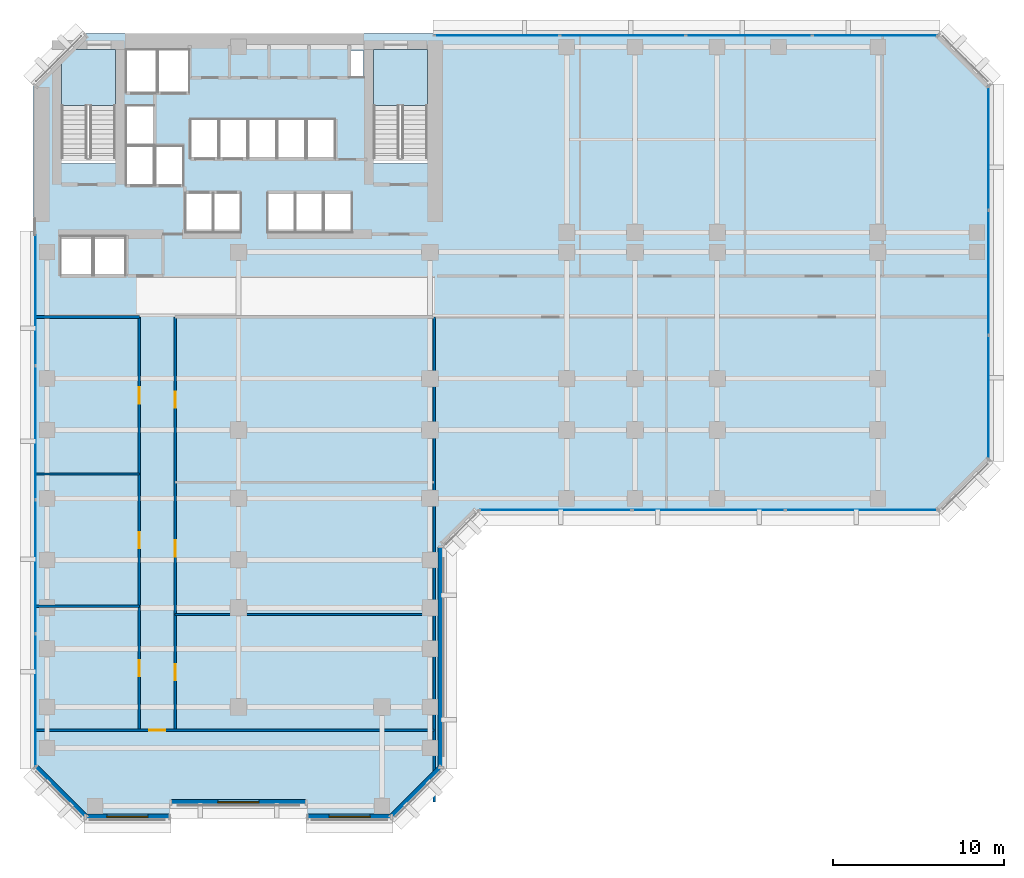
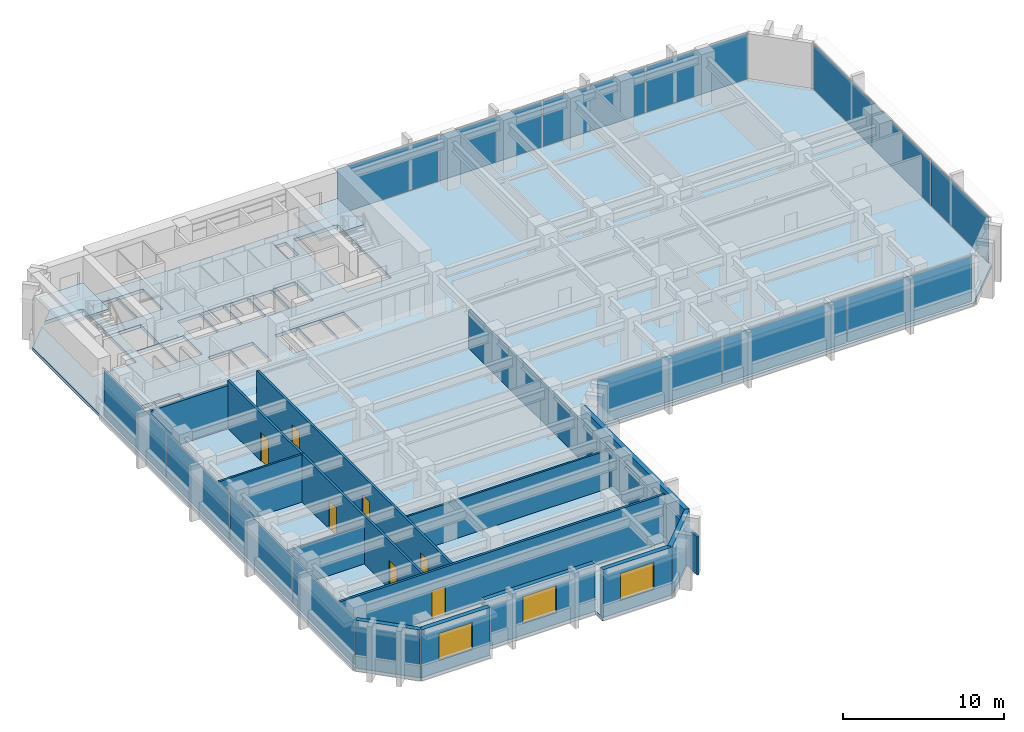
# One storey, part 6 of 13: 14 plates, 14 walls, 7 doors, 3 slabs, 3 windows, 10 openings, 6 elements without a shape of their own.
"""IFC4 building model written with IfcOpenShell, lengths in metres."""

from ifc_helpers import new_model, si_unit, direction, frame, frame_2d, origin, origin_2d, place, context, subcontext, project, spatial, polyline, rectangle, outline, extrude, material, layer, layer_set, type_object, element, fill, aggregate, save


model = new_model("IFC4")

# Units and contexts
model_context = context("Model", 3, precision=1e-05, world=origin(), true_north=direction((0.0, 1.0)))
body_context = subcontext(model_context, "Body", "Model", "MODEL_VIEW")
ifc_project = project(units=[si_unit("LENGTHUNIT", "METRE"), si_unit("AREAUNIT", "SQUARE_METRE"), si_unit("VOLUMEUNIT", "CUBIC_METRE"), si_unit("PLANEANGLEUNIT", "RADIAN"), si_unit("MASSUNIT", "GRAM", prefix="KILO")], contexts=[model_context])

# Site, building, storey
site_placement = place(None, origin())
site = spatial("IfcSite", under=ifc_project, at=site_placement, CompositionType="ELEMENT")
building_placement = place(site_placement, origin())
building = spatial("IfcBuilding", under=site, at=building_placement, Name="Kefirva Bronze Tower", CompositionType="ELEMENT")
storey_placement = place(building_placement, frame((0.0, 0.0, 89.760009765625)))
storey = spatial("IfcBuildingStorey", under=building, at=storey_placement, Name="L21", CompositionType="ELEMENT", Elevation=89.760009765625)

# Stair, slab
ifc_material_1 = material(Name="Concrete C40/50", Category="concrete")
stair_type = type_object("IfcStairType", Name="RC Dogleg Protected Stair 24R", PredefinedType="HALF_TURN_STAIR", material=ifc_material_1)
stair_1_placement = place(storey_placement, origin())
stair_1 = element("IfcStair", 1, at=stair_1_placement, inside=storey, type_object=stair_type, Name="L21 Protected Exit Stair 1", PredefinedType="HALF_TURN_STAIR")
ifc_layer_1 = layer(ifc_material_1, 0.199951171875, Name="Concrete C40/50")
ifc_layer_set_1 = layer_set([ifc_layer_1], Name="Concrete C40/50")
slab_type_1 = type_object("IfcSlabType", Name="RC Stair Landing Slab 200mm", PredefinedType="LANDING", material=ifc_layer_set_1)
slab_1_placement = place(storey_placement, frame((0.0, 0.0, 1.780029296875)))
slab_1 = element("IfcSlab", 2, at=slab_1_placement, type_object=slab_type_1, Name="ST-1 landing 1", PredefinedType="LANDING", context=body_context, shape_type="SweptSolid", body=[
    extrude(outline(polyline([(4.800048828125, 41.780029296875), (4.800048828125, 45.050048828125), (1.64990234375, 45.050048828125), (1.64990234375, 41.780029296875), (4.800048828125, 41.780029296875)])), origin(), (0.0, 0.0, 1.0), 0.199951171875),
])
aggregate(stair_1, [slab_1])

stair_2_placement = place(storey_placement, origin())
stair_2 = element("IfcStair", 3, at=stair_2_placement, inside=storey, type_object=stair_type, Name="L21 Protected Exit Stair 2", PredefinedType="HALF_TURN_STAIR")
slab_2_placement = place(storey_placement, frame((0.0, 0.0, 1.780029296875)))
slab_2 = element("IfcSlab", 4, at=slab_2_placement, type_object=slab_type_1, Name="ST-2 landing 1", PredefinedType="LANDING", context=body_context, shape_type="SweptSolid", body=[
    extrude(outline(polyline([(23.050048828125, 41.780029296875), (23.050048828125, 45.050048828125), (19.89990234375, 45.050048828125), (19.89990234375, 41.780029296875), (23.050048828125, 41.780029296875)])), origin(), (0.0, 0.0, 1.0), 0.199951171875),
])
aggregate(stair_2, [slab_2])

# Slab
ifc_layer_2 = layer(ifc_material_1, 0.25, Name="Concrete C40/50")
ifc_layer_set_2 = layer_set([ifc_layer_2], Name="Concrete C40/50")
slab_type_2 = type_object("IfcSlabType", Name="RC Tower Floor Slab 250mm", PredefinedType="FLOOR", material=ifc_layer_set_2)
slab_3_placement = place(storey_placement, frame((0.0, 0.0, -0.25)))
element("IfcSlab", 5, at=slab_3_placement, inside=storey, type_object=slab_type_2, Name="L21 Structural Floor Slab", PredefinedType="FLOOR", context=body_context, shape_type="SweptSolid", body=[
    extrude(outline(polyline([(0.0, 3.0), (0.0, 43.0), (1.64990234375, 44.64990234375), (1.64990234375, 38.39990234375), (4.800048828125, 38.39990234375), (4.800048828125, 45.050048828125), (2.050048828125, 45.050048828125), (3.0, 46.0), (53.0, 46.0), (56.0, 43.0), (56.0, 21.0), (53.0, 18.0), (26.0, 18.0), (24.0, 16.0), (24.0, 3.0), (21.0, 0.0), (16.0, 0.0), (16.0, 0.85009765625), (8.0, 0.85009765625), (8.0, 0.0), (3.0, 0.0), (0.0, 3.0)]), holes=[polyline([(19.89990234375, 38.39990234375), (23.050048828125, 38.39990234375), (23.050048828125, 45.050048828125), (19.89990234375, 45.050048828125), (19.89990234375, 38.39990234375)]), polyline([(18.52001953125, 43.419921875), (19.320068359375, 43.419921875), (19.320068359375, 45.0), (18.52001953125, 45.0), (18.52001953125, 43.419921875)]), polyline([(17.0, 34.35009765625), (18.64990234375, 34.35009765625), (18.64990234375, 36.64990234375), (17.0, 36.64990234375), (17.0, 34.35009765625)]), polyline([(17.64990234375, 38.679931640625), (17.64990234375, 40.97998046875), (16.0, 40.97998046875), (16.0, 38.679931640625), (17.64990234375, 38.679931640625)]), polyline([(16.949951171875, 34.35009765625), (16.949951171875, 36.64990234375), (15.35009765625, 36.64990234375), (15.35009765625, 34.35009765625), (16.949951171875, 34.35009765625)]), polyline([(15.929931640625, 38.679931640625), (15.929931640625, 40.97998046875), (14.300048828125, 40.97998046875), (14.300048828125, 38.679931640625), (15.929931640625, 38.679931640625)]), polyline([(15.300048828125, 34.35009765625), (15.300048828125, 36.64990234375), (13.699951171875, 36.64990234375), (13.699951171875, 34.35009765625), (15.300048828125, 34.35009765625)]), polyline([(14.22998046875, 38.679931640625), (14.22998046875, 40.97998046875), (12.60009765625, 40.97998046875), (12.60009765625, 38.679931640625), (14.22998046875, 38.679931640625)]), polyline([(10.89990234375, 38.679931640625), (12.530029296875, 38.679931640625), (12.530029296875, 40.97998046875), (10.89990234375, 40.97998046875), (10.89990234375, 38.679931640625)]), polyline([(12.139892578125, 34.35009765625), (12.139892578125, 36.64990234375), (10.5400390625, 36.64990234375), (10.5400390625, 34.35009765625), (12.139892578125, 34.35009765625)]), polyline([(10.830078125, 38.679931640625), (10.830078125, 40.97998046875), (9.199951171875, 40.97998046875), (9.199951171875, 38.679931640625), (10.830078125, 38.679931640625)]), polyline([(10.5, 34.35009765625), (10.5, 36.64990234375), (8.89990234375, 36.64990234375), (8.89990234375, 34.35009765625), (10.5, 34.35009765625)]), polyline([(7.300048828125, 42.550048828125), (9.1201171875, 42.550048828125), (9.1201171875, 45.050048828125), (7.300048828125, 45.050048828125), (7.300048828125, 42.550048828125)]), polyline([(7.139892578125, 37.10009765625), (8.780029296875, 37.10009765625), (8.780029296875, 39.39990234375), (7.139892578125, 39.39990234375), (7.139892578125, 37.10009765625)]), polyline([(5.419921875, 42.550048828125), (7.239990234375, 42.550048828125), (7.239990234375, 45.050048828125), (5.419921875, 45.050048828125), (5.419921875, 42.550048828125)]), polyline([(7.06005859375, 39.47998046875), (7.06005859375, 41.780029296875), (5.419921875, 41.780029296875), (5.419921875, 39.47998046875), (7.06005859375, 39.47998046875)]), polyline([(5.419921875, 37.10009765625), (7.06005859375, 37.10009765625), (7.06005859375, 39.39990234375), (5.419921875, 39.39990234375), (5.419921875, 37.10009765625)]), polyline([(5.39990234375, 31.85009765625), (5.39990234375, 34.14990234375), (3.550048828125, 34.14990234375), (3.550048828125, 31.85009765625), (5.39990234375, 31.85009765625)]), polyline([(3.449951171875, 31.85009765625), (3.449951171875, 34.14990234375), (1.60009765625, 34.14990234375), (1.60009765625, 31.85009765625), (3.449951171875, 31.85009765625)])]), origin(), (0.0, 0.0, 1.0), 0.25),
])

# Curtain wall, plates
ifc_material_2 = material(Name="Bronze anodised aluminium", Category="aluminium")
ifc_layer_3 = layer(ifc_material_2, 0.199951171875, Name="Bronze anodised aluminium")
ifc_layer_set_3 = layer_set([ifc_layer_3], Name="Bronze anodised aluminium")
curtain_wall_type = type_object("IfcCurtainWallType", Name="Unitised Bronze Ribbon Curtain Wall Zone 1", PredefinedType="USERDEFINED", material=ifc_layer_set_3)
curtain_wall_1_placement = place(storey_placement, origin())
curtain_wall_1 = element("IfcCurtainWall", 6, at=curtain_wall_1_placement, inside=storey, type_object=curtain_wall_type, Name="L21 Curtain Wall 1", ObjectType="UNITISED CURTAIN WALL", PredefinedType="USERDEFINED")
ifc_material_3 = material(Name="Laminated low-E double glazing", Category="glass")
ifc_layer_4 = layer(ifc_material_3, 0.031982421875, Name="Laminated low-E double glazing")
ifc_layer_set_4 = layer_set([ifc_layer_4], Name="Laminated low-E double glazing")
plate_type = type_object("IfcPlateType", Name="Solar-Control Low-E Vision Panel 32mm", PredefinedType="CURTAIN_PANEL", material=ifc_layer_set_4)
plate_1_placement = place(storey_placement, frame((30.555419921875, 18.1201171875, 0.074951171875), z_axis=(0.0, 0.0, 1.0), x_axis=(1.0, 0.0, 0.0)))
plate_1 = element("IfcPlate", 7, at=plate_1_placement, type_object=plate_type, Name="CW-01 panel 1.1", PredefinedType="CURTAIN_PANEL", context=body_context, shape_type="SweptSolid", body=[
    extrude(rectangle(XDim=8.850830078125, YDim=0.031982421875, at=origin_2d()), origin(), (0.0, 0.0, 1.0), 3.4599609375),
])
plate_2_placement = place(storey_placement, frame((39.5, 18.1201171875, 0.074951171875), z_axis=(0.0, 0.0, 1.0), x_axis=(1.0, 0.0, 0.0)))
plate_2 = element("IfcPlate", 8, at=plate_2_placement, type_object=plate_type, Name="CW-01 panel 2.1", PredefinedType="CURTAIN_PANEL", context=body_context, shape_type="SweptSolid", body=[
    extrude(rectangle(XDim=8.888427734375, YDim=0.031982421875, at=origin_2d()), origin(), (0.0, 0.0, 1.0), 3.4599609375),
])
plate_3_placement = place(storey_placement, frame((48.444580078125, 18.1201171875, 0.074951171875), z_axis=(0.0, 0.0, 1.0), x_axis=(1.0, 0.0, 0.0)))
plate_3 = element("IfcPlate", 9, at=plate_3_placement, type_object=plate_type, Name="CW-01 panel 3.1", PredefinedType="CURTAIN_PANEL", context=body_context, shape_type="SweptSolid", body=[
    extrude(rectangle(XDim=8.850830078125, YDim=0.031982421875, at=origin_2d()), origin(), (0.0, 0.0, 1.0), 3.4599609375),
])
aggregate(curtain_wall_1, [plate_1, plate_2, plate_3])

curtain_wall_2_placement = place(storey_placement, origin())
curtain_wall_2 = element("IfcCurtainWall", 10, at=curtain_wall_2_placement, inside=storey, type_object=curtain_wall_type, Name="L21 Curtain Wall 2", ObjectType="UNITISED CURTAIN WALL", PredefinedType="USERDEFINED")
plate_4_placement = place(storey_placement, frame((55.8798828125, 24.72216796875, 0.074951171875), z_axis=(0.0, 0.0, 1.0), x_axis=(0.0, 1.0, 0.0)))
plate_4 = element("IfcPlate", 11, at=plate_4_placement, type_object=plate_type, Name="CW-01 panel 1.1", PredefinedType="CURTAIN_PANEL", context=body_context, shape_type="SweptSolid", body=[
    extrude(rectangle(XDim=7.18408203125, YDim=0.031982421875, at=origin_2d()), origin(), (0.0, 0.0, 1.0), 3.4599609375),
])
plate_5_placement = place(storey_placement, frame((55.8798828125, 32.0, 0.074951171875), z_axis=(0.0, 0.0, 1.0), x_axis=(0.0, 1.0, 0.0)))
plate_5 = element("IfcPlate", 12, at=plate_5_placement, type_object=plate_type, Name="CW-01 panel 2.1", PredefinedType="CURTAIN_PANEL", context=body_context, shape_type="SweptSolid", body=[
    extrude(rectangle(XDim=7.2216796875, YDim=0.031982421875, at=origin_2d()), origin(), (0.0, 0.0, 1.0), 3.4599609375),
])
plate_6_placement = place(storey_placement, frame((55.8798828125, 39.27783203125, 0.074951171875), z_axis=(0.0, 0.0, 1.0), x_axis=(0.0, 1.0, 0.0)))
plate_6 = element("IfcPlate", 13, at=plate_6_placement, type_object=plate_type, Name="CW-01 panel 3.1", PredefinedType="CURTAIN_PANEL", context=body_context, shape_type="SweptSolid", body=[
    extrude(rectangle(XDim=7.18408203125, YDim=0.031982421875, at=origin_2d()), origin(), (0.0, 0.0, 1.0), 3.4599609375),
])
aggregate(curtain_wall_2, [plate_4, plate_5, plate_6])

curtain_wall_3_placement = place(storey_placement, origin())
curtain_wall_3 = element("IfcCurtainWall", 14, at=curtain_wall_3_placement, inside=storey, type_object=curtain_wall_type, Name="L21 Curtain Wall 3", ObjectType="UNITISED CURTAIN WALL", PredefinedType="USERDEFINED")
plate_7_placement = place(storey_placement, frame((49.233642578125, 45.8798828125, 0.074951171875), z_axis=(0.0, 0.0, 1.0), x_axis=(-1.0, 0.0, 0.0)))
plate_7 = element("IfcPlate", 15, at=plate_7_placement, type_object=plate_type, Name="CW-01 panel 1.1", PredefinedType="CURTAIN_PANEL", context=body_context, shape_type="SweptSolid", body=[
    extrude(rectangle(XDim=7.2724609375, YDim=0.031982421875, at=origin_2d()), origin(), (0.0, 0.0, 1.0), 3.4599609375),
])
plate_8_placement = place(storey_placement, frame((41.867431640625, 45.8798828125, 0.074951171875), z_axis=(0.0, 0.0, 1.0), x_axis=(-1.0, 0.0, 0.0)))
plate_8 = element("IfcPlate", 16, at=plate_8_placement, type_object=plate_type, Name="CW-01 panel 2.1", PredefinedType="CURTAIN_PANEL", context=body_context, shape_type="SweptSolid", body=[
    extrude(rectangle(XDim=7.31005859375, YDim=0.031982421875, at=origin_2d()), origin(), (0.0, 0.0, 1.0), 3.4599609375),
])
plate_9_placement = place(storey_placement, frame((34.482421875, 45.8798828125, 0.074951171875), z_axis=(0.0, 0.0, 1.0), x_axis=(-1.0, 0.0, 0.0)))
plate_9 = element("IfcPlate", 17, at=plate_9_placement, type_object=plate_type, Name="CW-01 panel 3.1", PredefinedType="CURTAIN_PANEL", context=body_context, shape_type="SweptSolid", body=[
    extrude(rectangle(XDim=7.31005859375, YDim=0.031982421875, at=origin_2d()), origin(), (0.0, 0.0, 1.0), 3.4599609375),
])
plate_10_placement = place(storey_placement, frame((27.1162109375, 45.8798828125, 0.074951171875), z_axis=(0.0, 0.0, 1.0), x_axis=(-1.0, 0.0, 0.0)))
plate_10 = element("IfcPlate", 18, at=plate_10_placement, type_object=plate_type, Name="CW-01 panel 4.1", PredefinedType="CURTAIN_PANEL", context=body_context, shape_type="SweptSolid", body=[
    extrude(rectangle(XDim=7.2724609375, YDim=0.031982421875, at=origin_2d()), origin(), (0.0, 0.0, 1.0), 3.4599609375),
])
aggregate(curtain_wall_3, [plate_7, plate_8, plate_9, plate_10])

curtain_wall_4_placement = place(storey_placement, origin())
curtain_wall_4 = element("IfcCurtainWall", 19, at=curtain_wall_4_placement, inside=storey, type_object=curtain_wall_type, Name="L21 Curtain Wall 4", ObjectType="UNITISED CURTAIN WALL", PredefinedType="USERDEFINED")
plate_11_placement = place(storey_placement, frame((0.1201171875, 30.458740234375, 0.074951171875), z_axis=(0.0, 0.0, 1.0), x_axis=(0.0, -1.0, 0.0)))
plate_11 = element("IfcPlate", 20, at=plate_11_placement, type_object=plate_type, Name="CW-01 panel 1.1", PredefinedType="CURTAIN_PANEL", context=body_context, shape_type="SweptSolid", body=[
    extrude(rectangle(XDim=7.722412109375, YDim=0.031982421875, at=origin_2d()), origin(), (0.0, 0.0, 1.0), 3.4599609375),
])
plate_12_placement = place(storey_placement, frame((0.1201171875, 22.642578125, 0.074951171875), z_axis=(0.0, 0.0, 1.0), x_axis=(0.0, -1.0, 0.0)))
plate_12 = element("IfcPlate", 21, at=plate_12_placement, type_object=plate_type, Name="CW-01 panel 2.1", PredefinedType="CURTAIN_PANEL", context=body_context, shape_type="SweptSolid", body=[
    extrude(rectangle(XDim=7.760009765625, YDim=0.031982421875, at=origin_2d()), origin(), (0.0, 0.0, 1.0), 3.4599609375),
])
plate_13_placement = place(storey_placement, frame((0.1201171875, 14.8076171875, 0.074951171875), z_axis=(0.0, 0.0, 1.0), x_axis=(0.0, -1.0, 0.0)))
plate_13 = element("IfcPlate", 22, at=plate_13_placement, type_object=plate_type, Name="CW-01 panel 3.1", PredefinedType="CURTAIN_PANEL", context=body_context, shape_type="SweptSolid", body=[
    extrude(rectangle(XDim=7.760009765625, YDim=0.031982421875, at=origin_2d()), origin(), (0.0, 0.0, 1.0), 3.4599609375),
])
plate_14_placement = place(storey_placement, frame((0.1201171875, 6.9912109375, 0.074951171875), z_axis=(0.0, 0.0, 1.0), x_axis=(0.0, -1.0, 0.0)))
plate_14 = element("IfcPlate", 23, at=plate_14_placement, type_object=plate_type, Name="CW-01 panel 4.1", PredefinedType="CURTAIN_PANEL", context=body_context, shape_type="SweptSolid", body=[
    extrude(rectangle(XDim=7.722412109375, YDim=0.031982421875, at=origin_2d()), origin(), (0.0, 0.0, 1.0), 3.4599609375),
])
aggregate(curtain_wall_4, [plate_11, plate_12, plate_13, plate_14])

# Walls
ifc_material_4 = material(Name="Gypsum acoustic partition")
ifc_layer_5 = layer(ifc_material_4, 0.1298828125, Name="Gypsum acoustic partition")
ifc_layer_set_5 = layer_set([ifc_layer_5], Name="Gypsum acoustic partition")
wall_type_1 = type_object("IfcWallType", Name="Acoustic Office Partition 130mm", PredefinedType="PARTITIONING", material=ifc_layer_set_5)
wall_1_placement = place(storey_placement, frame((0.18994140625, 12.488037109375, 0.0), z_axis=(0.0, 0.0, 1.0), x_axis=(1.0, 0.0, 0.0)))
element("IfcWall", 24, at=wall_1_placement, inside=storey, type_object=wall_type_1, Name="L21 Partition W-L21-SWD1", PredefinedType="PARTITIONING", context=body_context, shape_type="SweptSolid", body=[
    extrude(rectangle(XDim=6.010009765625, YDim=0.1298828125, at=frame_2d((3.0048828125, 0.0))), origin(), (0.0, 0.0, 1.0), 2.89501953125),
])
wall_2_placement = place(storey_placement, frame((0.18994140625, 20.21923828125, 0.0), z_axis=(0.0, 0.0, 1.0), x_axis=(1.0, 0.0, 0.0)))
element("IfcWall", 25, at=wall_2_placement, inside=storey, type_object=wall_type_1, Name="L21 Partition W-L21-SWD2", PredefinedType="PARTITIONING", context=body_context, shape_type="SweptSolid", body=[
    extrude(rectangle(XDim=6.010009765625, YDim=0.1298828125, at=frame_2d((3.0048828125, 0.0))), origin(), (0.0, 0.0, 1.0), 3.610107421875),
])
wall_3_placement = place(storey_placement, frame((8.300048828125, 12.0048828125, 0.0), z_axis=(0.0, 0.0, 1.0), x_axis=(1.0, 0.0, 0.0)))
element("IfcWall", 26, at=wall_3_placement, inside=storey, type_object=wall_type_1, Name="L21 Partition W-L21-SED1", PredefinedType="PARTITIONING", context=body_context, shape_type="SweptSolid", body=[
    extrude(rectangle(XDim=15.14990234375, YDim=0.1298828125, at=frame_2d((7.574951171875, 0.0))), origin(), (0.0, 0.0, 1.0), 2.89501953125),
])

# Wall, opening, window
ifc_material_5 = material(Name="Precast concrete C40/50", Category="concrete")
ifc_layer_6 = layer(ifc_material_5, 0.320068359375, Name="Precast concrete C40/50")
ifc_layer_set_6 = layer_set([ifc_layer_6], Name="Precast concrete C40/50")
wall_type_2 = type_object("IfcWallType", Name="Precast Insulated Exterior Wall 320mm", PredefinedType="SOLIDWALL", material=ifc_layer_set_6)
wall_4_placement = place(storey_placement, frame((3.054931640625, 0.159912109375, 0.0), z_axis=(0.0, 0.0, 1.0), x_axis=(1.0, 0.0, 0.0)))
wall_4 = element("IfcWall", 27, at=wall_4_placement, inside=storey, type_object=wall_type_2, Name="L21 Exterior Facade Wall 1", PredefinedType="SOLIDWALL", context=body_context, shape_type="SweptSolid", body=[
    extrude(rectangle(XDim=4.89013671875, YDim=0.320068359375, at=frame_2d((2.445068359375, 0.0))), origin(), (0.0, 0.0, 1.0), 3.610107421875),
])
opening_1_placement = place(wall_4_placement, frame((1.2451171875, 0.0, 0.85009765625)))
opening_1 = element("IfcOpeningElement", 28, at=opening_1_placement, cuts=wall_4, Name="Opening WN-01", PredefinedType="OPENING", context=body_context, shape_type="SweptSolid", body=[
    extrude(rectangle(XDim=2.39990234375, YDim=2.050048828125, at=frame_2d((1.199951171875, 1.02490234375))), frame((0.0, 0.169921875, 0.0), z_axis=(0.0, -1.0, 0.0), x_axis=(1.0, 0.0, 0.0)), (0.0, 0.0, 1.0), 0.340087890625),
])
window_type = type_object("IfcWindowType", Name="Streamline Ribbon Window 2400x2050", PartitioningType="SINGLE_PANEL", PredefinedType="WINDOW", material=ifc_material_3)
window_1_placement = place(opening_1_placement, origin())
window_1 = element("IfcWindow", 29, at=window_1_placement, inside=storey, type_object=window_type, Name="L21 Ribbon Window 1", OverallHeight=2.050048828125, OverallWidth=2.39990234375, PartitioningType="SINGLE_PANEL", PredefinedType="WINDOW", context=body_context, shape_type="SweptSolid", body=[
    extrude(rectangle(XDim=2.39990234375, YDim=2.050048828125, at=frame_2d((1.199951171875, 1.02490234375))), frame((0.0, 0.030029296875, 0.0), z_axis=(0.0, -1.0, 0.0), x_axis=(1.0, 0.0, 0.0)), (0.0, 0.0, 1.0), 0.06005859375),
])
fill(opening_1, window_1)

wall_5_placement = place(storey_placement, frame((8.054931640625, 1.010009765625, 0.0), z_axis=(0.0, 0.0, 1.0), x_axis=(1.0, 0.0, 0.0)))
wall_5 = element("IfcWall", 30, at=wall_5_placement, inside=storey, type_object=wall_type_2, Name="L21 Exterior Facade Wall 2", PredefinedType="SOLIDWALL", context=body_context, shape_type="SweptSolid", body=[
    extrude(rectangle(XDim=7.89013671875, YDim=0.320068359375, at=frame_2d((3.945068359375, 0.0))), origin(), (0.0, 0.0, 1.0), 3.610107421875),
])
opening_2_placement = place(wall_5_placement, frame((2.7451171875, 0.0, 0.85009765625)))
opening_2 = element("IfcOpeningElement", 31, at=opening_2_placement, cuts=wall_5, Name="Opening WN-01", PredefinedType="OPENING", context=body_context, shape_type="SweptSolid", body=[
    extrude(rectangle(XDim=2.39990234375, YDim=2.050048828125, at=frame_2d((1.199951171875, 1.02490234375))), frame((0.0, 0.169921875, 0.0), z_axis=(0.0, -1.0, 0.0), x_axis=(1.0, 0.0, 0.0)), (0.0, 0.0, 1.0), 0.340087890625),
])
window_2_placement = place(opening_2_placement, origin())
window_2 = element("IfcWindow", 32, at=window_2_placement, inside=storey, type_object=window_type, Name="L21 Ribbon Window 2", OverallHeight=2.050048828125, OverallWidth=2.39990234375, PartitioningType="SINGLE_PANEL", PredefinedType="WINDOW", context=body_context, shape_type="SweptSolid", body=[
    extrude(rectangle(XDim=2.39990234375, YDim=2.050048828125, at=frame_2d((1.199951171875, 1.02490234375))), frame((0.0, 0.030029296875, 0.0), z_axis=(0.0, -1.0, 0.0), x_axis=(1.0, 0.0, 0.0)), (0.0, 0.0, 1.0), 0.06005859375),
])
fill(opening_2, window_2)

wall_6_placement = place(storey_placement, frame((16.054931640625, 0.159912109375, 0.0), z_axis=(0.0, 0.0, 1.0), x_axis=(1.0, 0.0, 0.0)))
wall_6 = element("IfcWall", 33, at=wall_6_placement, inside=storey, type_object=wall_type_2, Name="L21 Exterior Facade Wall 3", PredefinedType="SOLIDWALL", context=body_context, shape_type="SweptSolid", body=[
    extrude(rectangle(XDim=4.89013671875, YDim=0.320068359375, at=frame_2d((2.445068359375, 0.0))), origin(), (0.0, 0.0, 1.0), 3.610107421875),
])
opening_3_placement = place(wall_6_placement, frame((1.2451171875, 0.0, 0.85009765625)))
opening_3 = element("IfcOpeningElement", 34, at=opening_3_placement, cuts=wall_6, Name="Opening WN-01", PredefinedType="OPENING", context=body_context, shape_type="SweptSolid", body=[
    extrude(rectangle(XDim=2.39990234375, YDim=2.050048828125, at=frame_2d((1.199951171875, 1.02490234375))), frame((0.0, 0.169921875, 0.0), z_axis=(0.0, -1.0, 0.0), x_axis=(1.0, 0.0, 0.0)), (0.0, 0.0, 1.0), 0.340087890625),
])
window_3_placement = place(opening_3_placement, origin())
window_3 = element("IfcWindow", 35, at=window_3_placement, inside=storey, type_object=window_type, Name="L21 Ribbon Window 3", OverallHeight=2.050048828125, OverallWidth=2.39990234375, PartitioningType="SINGLE_PANEL", PredefinedType="WINDOW", context=body_context, shape_type="SweptSolid", body=[
    extrude(rectangle(XDim=2.39990234375, YDim=2.050048828125, at=frame_2d((1.199951171875, 1.02490234375))), frame((0.0, 0.030029296875, 0.0), z_axis=(0.0, -1.0, 0.0), x_axis=(1.0, 0.0, 0.0)), (0.0, 0.0, 1.0), 0.06005859375),
])
fill(opening_3, window_3)

# Walls
wall_7_placement = place(storey_placement, frame((20.92578125, 0.152099609375, 0.0), z_axis=(0.0, 0.0, 1.0), x_axis=(0.707106781187, 0.707106781187, 0.0)))
element("IfcWall", 36, at=wall_7_placement, inside=storey, type_object=wall_type_2, Name="L21 Exterior Facade Wall 4", PredefinedType="SOLIDWALL", context=body_context, shape_type="SweptSolid", body=[
    extrude(rectangle(XDim=4.132568359375, YDim=0.320068359375, at=frame_2d((2.06640625, 0.0))), origin(), (0.0, 0.0, 1.0), 3.610107421875),
])
wall_8_placement = place(storey_placement, frame((23.840087890625, 3.054931640625, 0.0), z_axis=(0.0, 0.0, 1.0), x_axis=(0.0, 1.0, 0.0)))
element("IfcWall", 37, at=wall_8_placement, inside=storey, type_object=wall_type_2, Name="L21 Exterior Facade Wall 5", PredefinedType="SOLIDWALL", context=body_context, shape_type="SweptSolid", body=[
    extrude(rectangle(XDim=12.89013671875, YDim=0.320068359375, at=frame_2d((6.445068359375, 0.0))), origin(), (0.0, 0.0, 1.0), 3.610107421875),
])
wall_9_placement = place(storey_placement, frame((0.152099609375, 3.07421875, 0.0), z_axis=(0.0, 0.0, 1.0), x_axis=(0.707106781187, -0.707106781187, 0.0)))
element("IfcWall", 38, at=wall_9_placement, inside=storey, type_object=wall_type_2, Name="L21 Exterior Facade Wall 10", PredefinedType="SOLIDWALL", context=body_context, shape_type="SweptSolid", body=[
    extrude(rectangle(XDim=4.132568359375, YDim=0.320068359375, at=frame_2d((2.06640625, 0.0))), origin(), (0.0, 0.0, 1.0), 3.610107421875),
])

# Wall, openings, doors
ifc_layer_7 = layer(ifc_material_4, 0.159912109375, Name="Gypsum acoustic partition")
ifc_layer_set_7 = layer_set([ifc_layer_7], Name="Gypsum acoustic partition")
wall_type_3 = type_object("IfcWallType", Name="Protected Corridor Partition 160mm", PredefinedType="PARTITIONING", material=ifc_layer_set_7)
wall_10_placement = place(storey_placement, frame((6.199951171875, 5.239990234375, 0.0), z_axis=(0.0, 0.0, 1.0), x_axis=(0.0, 1.0, 0.0)))
wall_10 = element("IfcWall", 39, at=wall_10_placement, inside=storey, type_object=wall_type_3, Name="L21 Partition W-L21-SWCORW", PredefinedType="PARTITIONING", context=body_context, shape_type="SweptSolid", body=[
    extrude(rectangle(XDim=24.159912109375, YDim=0.159912109375, at=frame_2d((12.080078125, 0.0))), origin(), (0.0, 0.0, 1.0), 3.610107421875),
])
opening_4_placement = place(wall_10_placement, frame((4.098876953125, 0.0, 0.0), z_axis=(0.0, 0.0, 1.0), x_axis=(-1.0, 0.0, 0.0)))
opening_4 = element("IfcOpeningElement", 40, at=opening_4_placement, cuts=wall_10, Name="Opening L21-D-SW1", PredefinedType="OPENING", context=body_context, shape_type="SweptSolid", body=[
    extrude(rectangle(XDim=0.949951171875, YDim=2.14990234375, at=frame_2d((0.47509765625, 1.074951171875))), frame((0.0, 0.08984375, 0.0), z_axis=(0.0, -1.0, 0.0), x_axis=(1.0, 0.0, 0.0)), (0.0, 0.0, 1.0), 0.179931640625),
])
opening_5_placement = place(wall_10_placement, frame((11.588623046875, 0.0, 0.0), z_axis=(0.0, 0.0, 1.0), x_axis=(-1.0, 0.0, 0.0)))
opening_5 = element("IfcOpeningElement", 41, at=opening_5_placement, cuts=wall_10, Name="Opening L21-D-SW2", PredefinedType="OPENING", context=body_context, shape_type="SweptSolid", body=[
    extrude(rectangle(XDim=0.949951171875, YDim=2.14990234375, at=frame_2d((0.47509765625, 1.074951171875))), frame((0.0, 0.08984375, 0.0), z_axis=(0.0, -1.0, 0.0), x_axis=(1.0, 0.0, 0.0)), (0.0, 0.0, 1.0), 0.179931640625),
])
opening_6_placement = place(wall_10_placement, frame((20.04443359375, 0.0, 0.0), z_axis=(0.0, 0.0, 1.0), x_axis=(-1.0, 0.0, 0.0)))
opening_6 = element("IfcOpeningElement", 42, at=opening_6_placement, cuts=wall_10, Name="Opening L21-D-SW3", PredefinedType="OPENING", context=body_context, shape_type="SweptSolid", body=[
    extrude(rectangle(XDim=0.949951171875, YDim=2.14990234375, at=frame_2d((0.47509765625, 1.074951171875))), frame((0.0, 0.08984375, 0.0), z_axis=(0.0, -1.0, 0.0), x_axis=(1.0, 0.0, 0.0)), (0.0, 0.0, 1.0), 0.179931640625),
])
ifc_material_6 = material(Name="Acoustic hardwood oak", Category="wood")
door_type = type_object("IfcDoorType", Name="Office & Meeting Room Door 950x2150", OperationType="NOTDEFINED", PredefinedType="DOOR", material=ifc_material_6)
door_1_placement = place(opening_4_placement, origin())
door_1 = element("IfcDoor", 43, at=door_1_placement, inside=storey, type_object=door_type, Name="Door L21-D-SW1", OperationType="SINGLE_SWING_RIGHT", OverallHeight=2.14990234375, OverallWidth=0.949951171875, PredefinedType="DOOR", context=body_context, shape_type="SweptSolid", body=[
    extrude(rectangle(XDim=0.949951171875, YDim=2.14990234375, at=frame_2d((0.47509765625, 1.074951171875))), frame((0.0, 0.02490234375, 0.0), z_axis=(0.0, -1.0, 0.0), x_axis=(1.0, 0.0, 0.0)), (0.0, 0.0, 1.0), 0.050048828125),
])
fill(opening_4, door_1)
door_2_placement = place(opening_5_placement, origin())
door_2 = element("IfcDoor", 44, at=door_2_placement, inside=storey, type_object=door_type, Name="Door L21-D-SW2", OperationType="SINGLE_SWING_LEFT", OverallHeight=2.14990234375, OverallWidth=0.949951171875, PredefinedType="DOOR", context=body_context, shape_type="SweptSolid", body=[
    extrude(rectangle(XDim=0.949951171875, YDim=2.14990234375, at=frame_2d((0.47509765625, 1.074951171875))), frame((0.0, 0.02490234375, 0.0), z_axis=(0.0, -1.0, 0.0), x_axis=(1.0, 0.0, 0.0)), (0.0, 0.0, 1.0), 0.050048828125),
])
fill(opening_5, door_2)
door_3_placement = place(opening_6_placement, origin())
door_3 = element("IfcDoor", 45, at=door_3_placement, inside=storey, type_object=door_type, Name="Door L21-D-SW3", OperationType="SINGLE_SWING_RIGHT", OverallHeight=2.14990234375, OverallWidth=0.949951171875, PredefinedType="DOOR", context=body_context, shape_type="SweptSolid", body=[
    extrude(rectangle(XDim=0.949951171875, YDim=2.14990234375, at=frame_2d((0.47509765625, 1.074951171875))), frame((0.0, 0.02490234375, 0.0), z_axis=(0.0, -1.0, 0.0), x_axis=(1.0, 0.0, 0.0)), (0.0, 0.0, 1.0), 0.050048828125),
])
fill(opening_6, door_3)

wall_11_placement = place(storey_placement, frame((8.300048828125, 5.239990234375, 0.0), z_axis=(0.0, 0.0, 1.0), x_axis=(0.0, 1.0, 0.0)))
wall_11 = element("IfcWall", 46, at=wall_11_placement, inside=storey, type_object=wall_type_3, Name="L21 Partition W-L21-SECORE", PredefinedType="PARTITIONING", context=body_context, shape_type="SweptSolid", body=[
    extrude(rectangle(XDim=24.159912109375, YDim=0.159912109375, at=frame_2d((12.080078125, 0.0))), origin(), (0.0, 0.0, 1.0), 3.610107421875),
])
opening_7_placement = place(wall_11_placement, frame((2.907470703125, 0.0, 0.0)))
opening_7 = element("IfcOpeningElement", 47, at=opening_7_placement, cuts=wall_11, Name="Opening L21-D-SE1", PredefinedType="OPENING", context=body_context, shape_type="SweptSolid", body=[
    extrude(rectangle(XDim=0.949951171875, YDim=2.14990234375, at=frame_2d((0.47509765625, 1.074951171875))), frame((0.0, 0.08984375, 0.0), z_axis=(0.0, -1.0, 0.0), x_axis=(1.0, 0.0, 0.0)), (0.0, 0.0, 1.0), 0.179931640625),
])
opening_8_placement = place(wall_11_placement, frame((10.155517578125, 0.0, 0.0)))
opening_8 = element("IfcOpeningElement", 48, at=opening_8_placement, cuts=wall_11, Name="Opening L21-D-SE2", PredefinedType="OPENING", context=body_context, shape_type="SweptSolid", body=[
    extrude(rectangle(XDim=0.949951171875, YDim=2.14990234375, at=frame_2d((0.47509765625, 1.074951171875))), frame((0.0, 0.08984375, 0.0), z_axis=(0.0, -1.0, 0.0), x_axis=(1.0, 0.0, 0.0)), (0.0, 0.0, 1.0), 0.179931640625),
])
opening_9_placement = place(wall_11_placement, frame((18.85302734375, 0.0, 0.0)))
opening_9 = element("IfcOpeningElement", 49, at=opening_9_placement, cuts=wall_11, Name="Opening L21-D-SE3", PredefinedType="OPENING", context=body_context, shape_type="SweptSolid", body=[
    extrude(rectangle(XDim=0.949951171875, YDim=2.14990234375, at=frame_2d((0.47509765625, 1.074951171875))), frame((0.0, 0.08984375, 0.0), z_axis=(0.0, -1.0, 0.0), x_axis=(1.0, 0.0, 0.0)), (0.0, 0.0, 1.0), 0.179931640625),
])
door_4_placement = place(opening_7_placement, origin())
door_4 = element("IfcDoor", 50, at=door_4_placement, inside=storey, type_object=door_type, Name="Door L21-D-SE1", OperationType="SINGLE_SWING_LEFT", OverallHeight=2.14990234375, OverallWidth=0.949951171875, PredefinedType="DOOR", context=body_context, shape_type="SweptSolid", body=[
    extrude(rectangle(XDim=0.949951171875, YDim=2.14990234375, at=frame_2d((0.47509765625, 1.074951171875))), frame((0.0, 0.02490234375, 0.0), z_axis=(0.0, -1.0, 0.0), x_axis=(1.0, 0.0, 0.0)), (0.0, 0.0, 1.0), 0.050048828125),
])
fill(opening_7, door_4)
door_5_placement = place(opening_8_placement, origin())
door_5 = element("IfcDoor", 51, at=door_5_placement, inside=storey, type_object=door_type, Name="Door L21-D-SE2", OperationType="SINGLE_SWING_RIGHT", OverallHeight=2.14990234375, OverallWidth=0.949951171875, PredefinedType="DOOR", context=body_context, shape_type="SweptSolid", body=[
    extrude(rectangle(XDim=0.949951171875, YDim=2.14990234375, at=frame_2d((0.47509765625, 1.074951171875))), frame((0.0, 0.02490234375, 0.0), z_axis=(0.0, -1.0, 0.0), x_axis=(1.0, 0.0, 0.0)), (0.0, 0.0, 1.0), 0.050048828125),
])
fill(opening_8, door_5)
door_6_placement = place(opening_9_placement, origin())
door_6 = element("IfcDoor", 52, at=door_6_placement, inside=storey, type_object=door_type, Name="Door L21-D-SE3", OperationType="SINGLE_SWING_LEFT", OverallHeight=2.14990234375, OverallWidth=0.949951171875, PredefinedType="DOOR", context=body_context, shape_type="SweptSolid", body=[
    extrude(rectangle(XDim=0.949951171875, YDim=2.14990234375, at=frame_2d((0.47509765625, 1.074951171875))), frame((0.0, 0.02490234375, 0.0), z_axis=(0.0, -1.0, 0.0), x_axis=(1.0, 0.0, 0.0)), (0.0, 0.0, 1.0), 0.050048828125),
])
fill(opening_9, door_6)

# Wall, opening, door
wall_12_placement = place(storey_placement, frame((0.18994140625, 5.239990234375, 0.0), z_axis=(0.0, 0.0, 1.0), x_axis=(1.0, 0.0, 0.0)))
wall_12 = element("IfcWall", 53, at=wall_12_placement, inside=storey, type_object=wall_type_3, Name="L21 Partition W-L21-SBEND", PredefinedType="PARTITIONING", context=body_context, shape_type="SweptSolid", body=[
    extrude(rectangle(XDim=23.260009765625, YDim=0.159912109375, at=frame_2d((11.6298828125, 0.0))), origin(), (0.0, 0.0, 1.0), 3.610107421875),
])
opening_10_placement = place(wall_12_placement, frame((6.590087890625, 0.0, 0.0)))
opening_10 = element("IfcOpeningElement", 54, at=opening_10_placement, cuts=wall_12, Name="Opening L21-D-SEND1", PredefinedType="OPENING", context=body_context, shape_type="SweptSolid", body=[
    extrude(rectangle(XDim=0.949951171875, YDim=2.14990234375, at=frame_2d((0.47509765625, 1.074951171875))), frame((0.0, 0.08984375, 0.0), z_axis=(0.0, -1.0, 0.0), x_axis=(1.0, 0.0, 0.0)), (0.0, 0.0, 1.0), 0.179931640625),
])
door_7_placement = place(opening_10_placement, origin())
door_7 = element("IfcDoor", 55, at=door_7_placement, inside=storey, type_object=door_type, Name="Door L21-D-SEND1", OperationType="SINGLE_SWING_LEFT", OverallHeight=2.14990234375, OverallWidth=0.949951171875, PredefinedType="DOOR", context=body_context, shape_type="SweptSolid", body=[
    extrude(rectangle(XDim=0.949951171875, YDim=2.14990234375, at=frame_2d((0.47509765625, 1.074951171875))), frame((0.0, 0.02490234375, 0.0), z_axis=(0.0, -1.0, 0.0), x_axis=(1.0, 0.0, 0.0)), (0.0, 0.0, 1.0), 0.050048828125),
])
fill(opening_10, door_7)

# Walls
wall_13_placement = place(storey_placement, frame((0.18994140625, 29.39990234375, 0.0), z_axis=(0.0, 0.0, 1.0), x_axis=(1.0, 0.0, 0.0)))
element("IfcWall", 56, at=wall_13_placement, inside=storey, type_object=wall_type_3, Name="L21 Partition W-L21-NWT", PredefinedType="PARTITIONING", context=body_context, shape_type="SweptSolid", body=[
    extrude(rectangle(XDim=6.010009765625, YDim=0.159912109375, at=frame_2d((3.0048828125, 0.0))), origin(), (0.0, 0.0, 1.0), 3.264892578125),
])
wall_14_placement = place(storey_placement, frame((23.449951171875, 1.0400390625, 0.0), z_axis=(0.0, 0.0, 1.0), x_axis=(0.0, 1.0, 0.0)))
element("IfcWall", 57, at=wall_14_placement, inside=storey, type_object=wall_type_3, Name="L21 Partition W-L21-SWEAST", PredefinedType="PARTITIONING", context=body_context, shape_type="SweptSolid", body=[
    extrude(rectangle(XDim=28.35986328125, YDim=0.159912109375, at=frame_2d((14.179931640625, 0.0))), origin(), (0.0, 0.0, 1.0), 2.89501953125),
])

save(model, "model.ifc")
